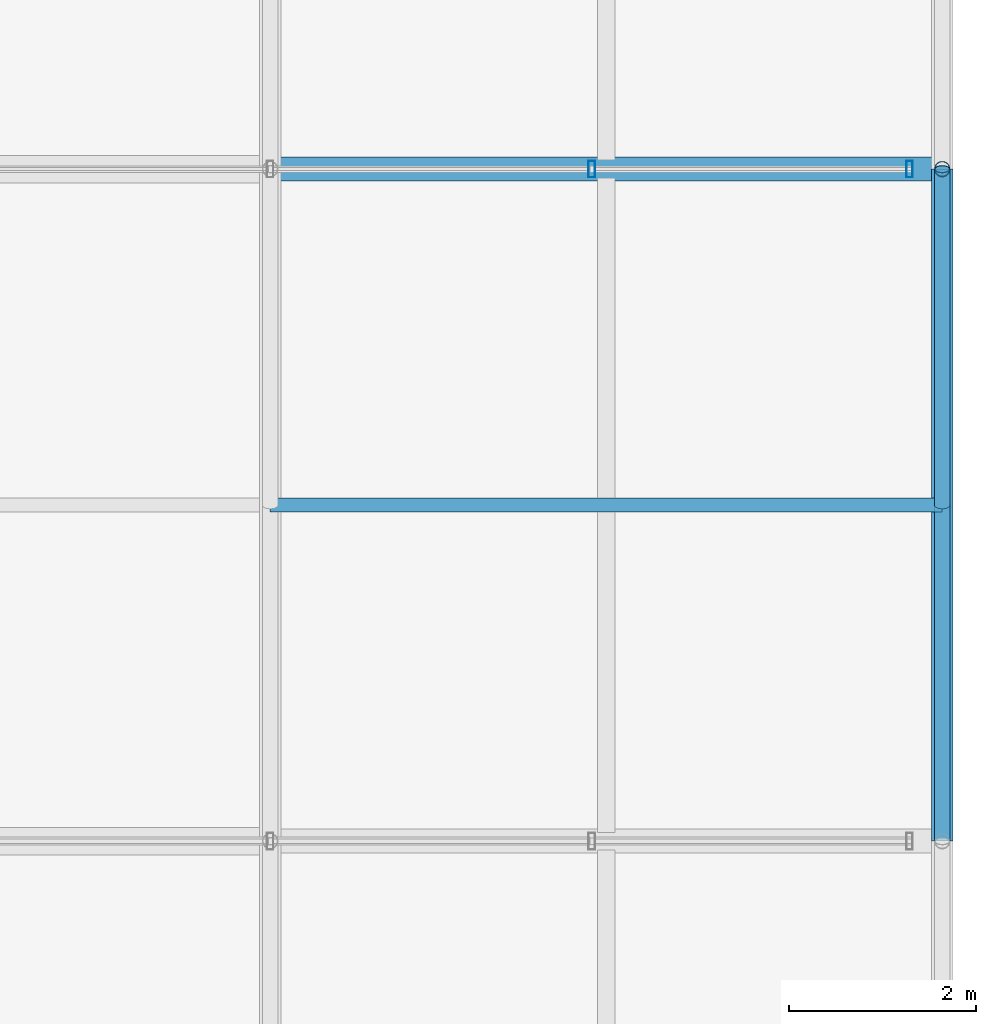
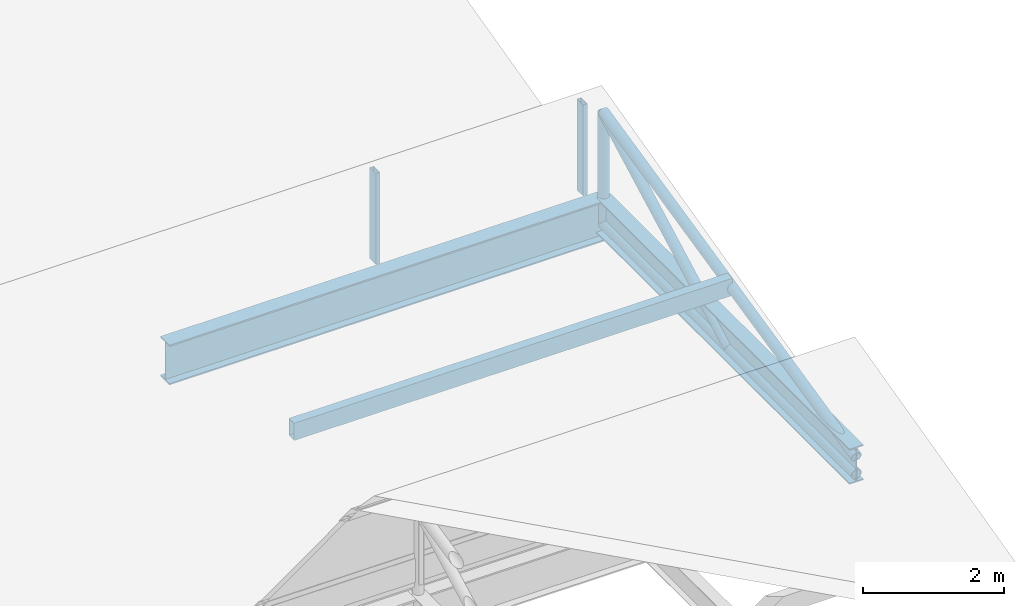
# One storey, part 83 of 144: 7 members, 2 beams, 1 element without a shape of its own.
"""IFC4 building model written with IfcOpenShell, lengths in metres."""

from ifc_helpers import new_model, si_unit, direction, frame, origin, origin_2d, place, context, subcontext, project, spatial, hollow_rectangle, hollow_circle, i_section, extrude, material, material_profile, profile_set, type_object, element, aggregate, save


model = new_model("IFC4")

# Units and contexts
model_context = context("Model", 3, precision=1e-05, world=origin(), true_north=direction((0.0, 1.0)))
body_context = subcontext(model_context, "Body", "Model", "MODEL_VIEW")
ifc_project = project(units=[si_unit("LENGTHUNIT", "METRE"), si_unit("AREAUNIT", "SQUARE_METRE"), si_unit("VOLUMEUNIT", "CUBIC_METRE"), si_unit("PLANEANGLEUNIT", "RADIAN"), si_unit("MASSUNIT", "GRAM", prefix="KILO")], contexts=[model_context])

# Site, building, storey
site_placement = place(None, origin())
site = spatial("IfcSite", under=ifc_project, at=site_placement, CompositionType="ELEMENT")
building_placement = place(site_placement, origin())
building = spatial("IfcBuilding", under=site, at=building_placement, Name="Yarey Park Central Fire Station", CompositionType="ELEMENT")
storey_placement = place(building_placement, frame((0.0, 0.0, 10.199951171875)))
storey = spatial("IfcBuildingStorey", under=building, at=storey_placement, Name="L03", CompositionType="ELEMENT", Elevation=10.199951171875)

# Curtain wall, members
ifc_material_1 = material(Name="Anodized Aluminium Frame", Category="aluminium")
curtain_wall_type = type_object("IfcCurtainWallType", Name="ENV_CW_SAW_18", PredefinedType="NOTDEFINED", material=ifc_material_1)
curtain_wall_placement = place(storey_placement, origin())
curtain_wall = element("IfcCurtainWall", 1, at=curtain_wall_placement, inside=storey, type_object=curtain_wall_type, Name="CW_L03_SAW_6_2", PredefinedType="NOTDEFINED")
ifc_material_profile_1 = material_profile(ifc_material_1, hollow_rectangle(XDim=0.070068359375, YDim=0.179931640625, WallThickness=0.00390625, at=origin_2d()), Name="ALU 180x70x4")
ifc_profile_set_1 = profile_set([ifc_material_profile_1], Name="Anodized Aluminium Frame")
member_type_1 = type_object("IfcMemberType", Name="ENV_CW_MULLION", PredefinedType="MULLION", material=ifc_profile_set_1)
member_1_placement = place(storey_placement, frame((165.25, 86.39990234375, 0.0), z_axis=(0.0, 0.0, 1.0), x_axis=(1.0, 0.0, 0.0)))
member_1 = element("IfcMember", 2, at=member_1_placement, type_object=member_type_1, Name="CW_L03_SAW_6_2_MUL1", PredefinedType="MULLION", context=body_context, shape_type="SweptSolid", body=[
    extrude(hollow_rectangle(XDim=0.070068359375, YDim=0.179931640625, WallThickness=0.00390625, at=origin_2d()), origin(), (0.0, 0.0, 1.0), 1.580078125),
])
member_2_placement = place(storey_placement, frame((161.844970703125, 86.39990234375, 0.0), z_axis=(0.0, 0.0, 1.0), x_axis=(1.0, 0.0, 0.0)))
member_2 = element("IfcMember", 3, at=member_2_placement, type_object=member_type_1, Name="CW_L03_SAW_6_2_MUL2", PredefinedType="MULLION", context=body_context, shape_type="SweptSolid", body=[
    extrude(hollow_rectangle(XDim=0.070068359375, YDim=0.179931640625, WallThickness=0.00390625, at=origin_2d()), origin(), (0.0, 0.0, 1.0), 1.580078125),
])
aggregate(curtain_wall, [member_1, member_2])

# Beams
ifc_material_2 = material(Name="Steel ASTM A992 Gr. 50", Category="steel")
ifc_material_profile_2 = material_profile(ifc_material_2, i_section(OverallWidth=0.22900390625, OverallDepth=0.612060546875, WebThickness=0.011962890625, FlangeThickness=0.01953125, at=origin_2d()), Name="W610x125")
ifc_profile_set_2 = profile_set([ifc_material_profile_2], Name="Steel ASTM A992 Gr. 50")
beam_type_1 = type_object("IfcBeamType", Name="STR_BM_W610", PredefinedType="BEAM", material=ifc_profile_set_2)
beam_1_placement = place(storey_placement, frame((165.60009765625, 79.199951171875, -0.48583984375), z_axis=(0.0, 1.0, 0.0), x_axis=(-1.0, 0.0, 0.0)))
element("IfcBeam", 4, at=beam_1_placement, inside=storey, type_object=beam_type_1, Name="BMY L03 X1656 Y792", PredefinedType="BEAM", context=body_context, shape_type="SweptSolid", body=[
    extrude(i_section(OverallWidth=0.22900390625, OverallDepth=0.612060546875, WebThickness=0.011962890625, FlangeThickness=0.01953125, at=origin_2d()), origin(), (0.0, 0.0, 1.0), 7.199951171875),
])
ifc_material_profile_3 = material_profile(ifc_material_2, i_section(OverallWidth=0.256103515625, OverallDepth=0.693115234375, WebThickness=0.014404296875, FlangeThickness=0.023681640625, at=origin_2d()), Name="W690x170")
ifc_profile_set_3 = profile_set([ifc_material_profile_3], Name="Steel ASTM A992 Gr. 50")
beam_type_2 = type_object("IfcBeamType", Name="STR_BM_W690", PredefinedType="BEAM", material=ifc_profile_set_3)
beam_2_placement = place(storey_placement, frame((158.39990234375, 86.39990234375, -0.5263671875), z_axis=(1.0, 0.0, 0.0), x_axis=(0.0, 1.0, 0.0)))
element("IfcBeam", 5, at=beam_2_placement, inside=storey, type_object=beam_type_2, Name="BMX L03 Y864 X1584", PredefinedType="BEAM", context=body_context, shape_type="SweptSolid", body=[
    extrude(i_section(OverallWidth=0.256103515625, OverallDepth=0.693115234375, WebThickness=0.014404296875, FlangeThickness=0.023681640625, at=origin_2d()), origin(), (0.0, 0.0, 1.0), 7.2001953125),
])

# Members
ifc_material_3 = material(Name="Steel ASTM A500 Gr. C", Category="steel")
ifc_material_profile_4 = material_profile(ifc_material_3, hollow_circle(Radius=0.084228515625, WallThickness=0.008056640625, at=origin_2d()), Name="CHS 168.3x8")
ifc_profile_set_4 = profile_set([ifc_material_profile_4], Name="Steel ASTM A500 Gr. C")
member_type_2 = type_object("IfcMemberType", Name="STR_CHORD_CHS168", PredefinedType="CHORD", material=ifc_profile_set_4)
member_3_placement = place(storey_placement, frame((165.60009765625, 79.199951171875, -0.64990234375), z_axis=(0.0, 1.0, 0.0), x_axis=(-1.0, 0.0, 0.0)))
element("IfcMember", 6, at=member_3_placement, inside=storey, type_object=member_type_2, Name="SAW_T4_B6_BC", PredefinedType="CHORD", context=body_context, shape_type="SweptSolid", body=[
    extrude(hollow_circle(Radius=0.084228515625, WallThickness=0.008056640625, at=origin_2d()), origin(), (0.0, 0.0, 1.0), 7.199951171875),
])
member_4_placement = place(storey_placement, frame((165.60009765625, 79.199951171875, -0.349853515625), z_axis=(0.0, 0.975464150349, 0.220158332533), x_axis=(-1.0, 0.0, 0.0)))
element("IfcMember", 7, at=member_4_placement, inside=storey, type_object=member_type_2, Name="SAW_T4_B6_TC", PredefinedType="CHORD", context=body_context, shape_type="SweptSolid", body=[
    extrude(hollow_circle(Radius=0.084228515625, WallThickness=0.008056640625, at=origin_2d()), origin(), (0.0, 0.0, 1.0), 7.381103515625),
])
ifc_material_profile_5 = material_profile(ifc_material_3, hollow_rectangle(XDim=0.14990234375, YDim=0.300048828125, WallThickness=0.010009765625, at=origin_2d()), Name="HSS 300x150x10")
ifc_profile_set_5 = profile_set([ifc_material_profile_5], Name="Steel ASTM A500 Gr. C")
member_type_3 = type_object("IfcMemberType", Name="STR_PUR_HSS300", PredefinedType="PURLIN", material=ifc_profile_set_5)
member_5_placement = place(storey_placement, frame((158.39990234375, 82.800048828125, 0.462646484375), z_axis=(1.0, 0.0, 0.0), x_axis=(0.0, 1.0, 0.0)))
element("IfcMember", 8, at=member_5_placement, inside=storey, type_object=member_type_3, Name="SAW_PUR_3_B6", PredefinedType="PURLIN", context=body_context, shape_type="SweptSolid", body=[
    extrude(hollow_rectangle(XDim=0.14990234375, YDim=0.300048828125, WallThickness=0.010009765625, at=origin_2d()), origin(), (0.0, 0.0, 1.0), 7.2001953125),
])
ifc_material_profile_6 = material_profile(ifc_material_3, hollow_circle(Radius=0.084228515625, WallThickness=0.008056640625, at=origin_2d()), Name="CHS 168.3x8")
ifc_profile_set_6 = profile_set([ifc_material_profile_6], Name="Steel ASTM A500 Gr. C")
member_type_4 = type_object("IfcMemberType", Name="STR_WEB_CHS168", PredefinedType="BRACE", material=ifc_profile_set_6)
member_6_placement = place(storey_placement, frame((165.60009765625, 86.39990234375, -0.64990234375), z_axis=(0.0, 0.0, 1.0), x_axis=(1.0, 0.0, 0.0)))
element("IfcMember", 9, at=member_6_placement, inside=storey, type_object=member_type_4, Name="SAW_T4_B6_VT", PredefinedType="BRACE", context=body_context, shape_type="SweptSolid", body=[
    extrude(hollow_circle(Radius=0.084228515625, WallThickness=0.008056640625, at=origin_2d()), origin(), (0.0, 0.0, 1.0), 1.925048828125),
])
member_7_placement = place(storey_placement, frame((165.60009765625, 82.800048828125, -0.64990234375), z_axis=(0.0, 0.8818309127, 0.471565733919), x_axis=(-1.0, 0.0, 0.0)))
element("IfcMember", 10, at=member_7_placement, inside=storey, type_object=member_type_4, Name="SAW_T4_B6_DG", PredefinedType="BRACE", context=body_context, shape_type="SweptSolid", body=[
    extrude(hollow_circle(Radius=0.084228515625, WallThickness=0.008056640625, at=origin_2d()), origin(), (0.0, 0.0, 1.0), 4.082275390625),
])

save(model, "model.ifc")
